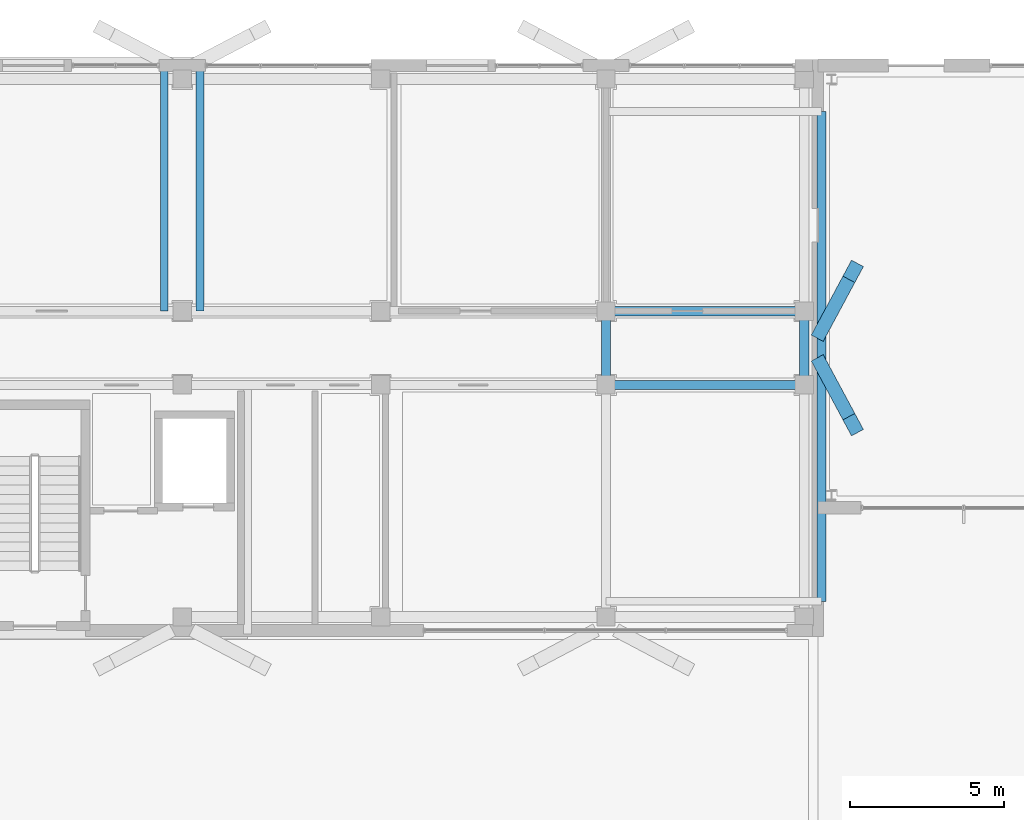
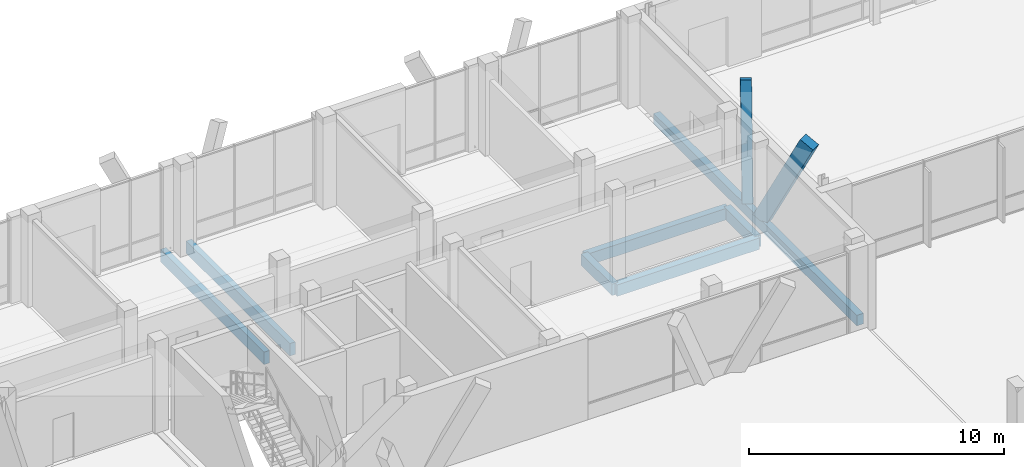
# One storey, part 116 of 233: 7 beams, 2 members.
"""IFC4 building model written with IfcOpenShell, lengths in metres."""

from ifc_helpers import new_model, si_unit, direction, frame, origin, origin_2d, place, context, subcontext, project, spatial, rectangle, extrude, material, material_profile, profile_set, type_object, element, save


model = new_model("IFC4")

# Units and contexts
model_context = context("Model", 3, precision=1e-05, world=origin(), true_north=direction((0.0, 1.0)))
body_context = subcontext(model_context, "Body", "Model", "MODEL_VIEW")
ifc_project = project(units=[si_unit("LENGTHUNIT", "METRE"), si_unit("AREAUNIT", "SQUARE_METRE"), si_unit("VOLUMEUNIT", "CUBIC_METRE"), si_unit("PLANEANGLEUNIT", "RADIAN"), si_unit("MASSUNIT", "GRAM", prefix="KILO")], contexts=[model_context])

# Site, building, storey
site_placement = place(None, origin())
site = spatial("IfcSite", under=ifc_project, at=site_placement, CompositionType="ELEMENT")
building_placement = place(site_placement, origin())
building = spatial("IfcBuilding", under=site, at=building_placement, Name="Zavelmont Quarter", CompositionType="ELEMENT")
storey_placement = place(building_placement, origin())
storey = spatial("IfcBuildingStorey", under=building, at=storey_placement, Name="L00", CompositionType="ELEMENT", Elevation=0.0)

# Beams
ifc_material_1 = material(Name="Concrete C35/45", Category="concrete")
ifc_material_profile_1 = material_profile(ifc_material_1, rectangle(XDim=0.300048828125, YDim=0.550048828125, at=origin_2d()), Name="RC300X550")
ifc_profile_set_1 = profile_set([ifc_material_profile_1], Name="Concrete C35/45")
beam_type_1 = type_object("IfcBeamType", Name="BM02", PredefinedType="SPANDREL", material=ifc_profile_set_1)
for number, where, z_axis, x_axis, name in (
    (1, (48.300048828125, 105.60009765625, -0.594970703125), (1.0, 0.0, 0.0), (0.0, 1.0, 0.0), "L00 beam BM02 8/Q to 9/Q"),
    (2, (48.300048828125, 108.0, -0.594970703125), (1.0, 0.0, 0.0), (0.0, 1.0, 0.0), "L00 beam BM02 8/R to 9/R"),
):
    element("IfcBeam", number, at=place(storey_placement, frame(where, z_axis=z_axis, x_axis=x_axis)), inside=storey, type_object=beam_type_1, Name=name, PredefinedType="SPANDREL", context=body_context, shape_type="SweptSolid", body=[
        extrude(rectangle(XDim=0.300048828125, YDim=0.550048828125, at=origin_2d()), origin(), (0.0, 0.0, 1.0), 6.4599609375),
    ])
for number, where, z_axis, x_axis, name in (
    (3, (48.300048828125, 105.60009765625, -0.594970703125), (0.0, 1.0, 0.0), (-1.0, 0.0, 0.0), "L00 beam BM02 8/Q to 8/R"),
    (4, (54.760009765625, 105.60009765625, -0.594970703125), (0.0, 1.0, 0.0), (-1.0, 0.0, 0.0), "L00 beam BM02 9/Q to 9/R"),
):
    element("IfcBeam", number, at=place(storey_placement, frame(where, z_axis=z_axis, x_axis=x_axis)), inside=storey, type_object=beam_type_1, Name=name, PredefinedType="SPANDREL", context=body_context, shape_type="SweptSolid", body=[
        extrude(rectangle(XDim=0.300048828125, YDim=0.550048828125, at=origin_2d()), origin(), (0.0, 0.0, 1.0), 2.39990234375),
    ])
ifc_material_profile_2 = material_profile(ifc_material_1, rectangle(XDim=0.300048828125, YDim=0.5, at=origin_2d()), Name="RC300X500")
ifc_profile_set_2 = profile_set([ifc_material_profile_2], Name="Concrete C35/45")
beam_type_2 = type_object("IfcBeamType", Name="BM03", PredefinedType="BEAM", material=ifc_profile_set_2)
beam_placement = place(storey_placement, frame((55.320068359375, 98.550048828125, -0.25), z_axis=(0.0, 1.0, 0.0), x_axis=(-1.0, 0.0, 0.0)))
element("IfcBeam", 5, at=beam_placement, inside=storey, type_object=beam_type_2, Name="L00 beam BM03 9/P to 9/S", PredefinedType="BEAM", context=body_context, shape_type="SweptSolid", body=[
    extrude(rectangle(XDim=0.300048828125, YDim=0.5, at=origin_2d()), origin(), (0.0, 0.0, 1.0), 15.949951171875),
])
ifc_material_2 = material(Name="Concrete C40/50", Category="concrete")
ifc_material_profile_3 = material_profile(ifc_material_2, rectangle(XDim=0.25, YDim=0.60009765625, at=origin_2d()), Name="RC250X600")
ifc_profile_set_3 = profile_set([ifc_material_profile_3], Name="Concrete C40/50")
beam_type_3 = type_object("IfcBeamType", Name="BM18", PredefinedType="BEAM", material=ifc_profile_set_3)
for number, where, z_axis, x_axis, name in (
    (6, (33.919921875, 108.0, -0.300048828125), (0.0, 1.0, 0.0), (-1.0, 0.0, 0.0), "L00 beam BM18 6/R to 6/S"),
    (7, (35.080078125, 108.0, -0.300048828125), (0.0, 1.0, 0.0), (-1.0, 0.0, 0.0), "L00 beam BM18 6/R to 6/S"),
):
    element("IfcBeam", number, at=place(storey_placement, frame(where, z_axis=z_axis, x_axis=x_axis)), inside=storey, type_object=beam_type_3, Name=name, PredefinedType="BEAM", context=body_context, shape_type="SweptSolid", body=[
        extrude(rectangle(XDim=0.25, YDim=0.60009765625, at=origin_2d()), origin(), (0.0, 0.0, 1.0), 8.1201171875),
    ])

# Members
ifc_material_3 = material(Name="White architectural precast concrete C40/50", Category="concrete")
ifc_material_profile_4 = material_profile(ifc_material_3, rectangle(XDim=0.43994140625, YDim=0.659912109375, at=origin_2d()), Name="PCR320X480")
ifc_profile_set_4 = profile_set([ifc_material_profile_4], Name="White architectural precast concrete C40/50")
member_type = type_object("IfcMemberType", Name="VR01M", PredefinedType="CHORD", material=ifc_profile_set_4)
for number, where, z_axis, x_axis, name in (
    (8, (55.320068359375, 106.219970703125, 0.0), (0.209859503568, -0.390321764517, 0.896441804528), (0.880766466301, 0.473550875662, 0.0), "L00 member VR01M 9/Q to 9/Q"),
    (9, (55.320068359375, 107.3798828125, 0.0), (0.209855428963, 0.390363926641, 0.896424399329), (-0.880791632985, 0.473504064674, 0.0), "L00 member VR01M 9/R to 9/R"),
):
    element("IfcMember", number, at=place(storey_placement, frame(where, z_axis=z_axis, x_axis=x_axis)), inside=storey, type_object=member_type, Name=name, PredefinedType="CHORD", context=body_context, shape_type="SweptSolid", body=[
        extrude(rectangle(XDim=0.43994140625, YDim=0.659912109375, at=origin_2d()), origin(), (0.0, 0.0, 1.0), 4.908203125),
    ])

save(model, "model.ifc")
